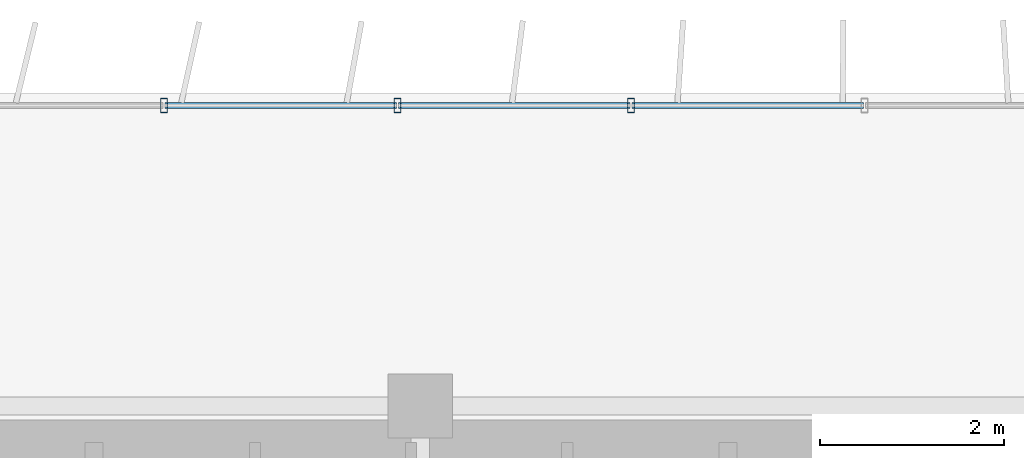
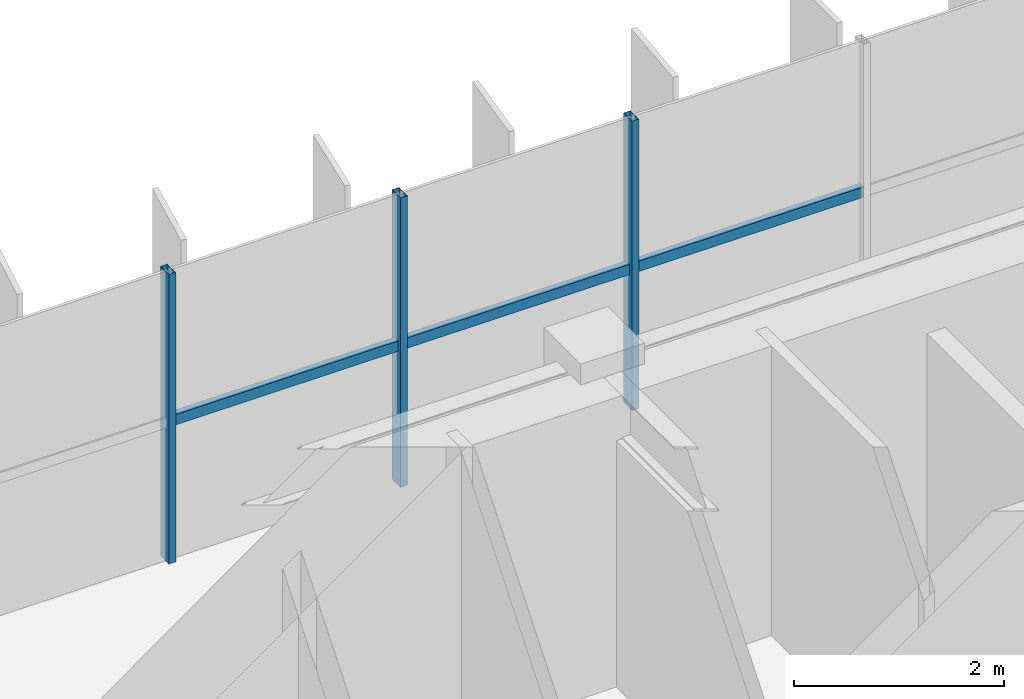
# One storey, part 11 of 23: 6 members, 1 element without a shape of its own.
"""IFC4 building model written with IfcOpenShell, lengths in metres."""

import ifcopenshell
import ifcopenshell.guid

model = None  # the IFC model being written
_history = None  # IfcOwnerHistory: only IFC2X3 demands one
_inside = {}  # id of a spatial element -> (the spatial element, [elements in it])
_under = {}  # id of a project, library or spatial element -> (it, [spatial elements below it])
_declared = {}  # id of a project -> (the project, [libraries it declares])
_typed = {}  # id of a type object -> (the type object, [elements of that type])
_made_of = {}  # id of a material, layer set ... -> (it, [elements and type objects made of it])


def new_model(schema):
    """Start an empty IFC model of exactly this schema.

    Asked for "IFC4X3", IfcOpenShell would pick the latest addendum, in which some entities
    have other attributes; the version numbers below select the first issue.
    IFC2X3 requires an IfcOwnerHistory on every rooted entity: one is made here for all.
    """
    global model, _history
    if schema == "IFC4X3":
        model = ifcopenshell.file(schema_version=(4, 3, 0, 0))
    else:
        model = ifcopenshell.file(schema=schema)
    _inside.clear()
    _under.clear()
    _declared.clear()
    _typed.clear()
    _made_of.clear()
    _history = None
    if model.schema == "IFC2X3":
        org = make("IfcOrganization", Name="unknown")
        user = make(
            "IfcPersonAndOrganization",
            ThePerson=make("IfcPerson", FamilyName="unknown"),
            TheOrganization=org,
        )
        app = make(
            "IfcApplication",
            ApplicationDeveloper=org,
            Version="unknown",
            ApplicationFullName="unknown",
            ApplicationIdentifier="unknown",
        )
        _history = make(
            "IfcOwnerHistory",
            OwningUser=user,
            OwningApplication=app,
            ChangeAction="ADDED",
            CreationDate=0,
        )
    return model


def make(cls, **values):
    """One entity of the class cls with the attributes given. An attribute that is None is left unset."""
    return model.create_entity(
        cls, **{name: value for name, value in values.items() if value is not None}
    )


def rooted(cls, **values):
    """An entity with a GlobalId (a new one), such as an element, a storey or a relation."""
    return make(cls, GlobalId=ifcopenshell.guid.new(), OwnerHistory=_history, **values)


def si_unit(unit_type, name, prefix=None):
    """IfcSIUnit, for example si_unit("LENGTHUNIT", "METRE", prefix="MILLI")."""
    return make("IfcSIUnit", UnitType=unit_type, Prefix=prefix, Name=name)


def assignment(units):
    """IfcUnitAssignment: the units of a project."""
    return None if units is None else make("IfcUnitAssignment", Units=units)


def point(xyz):
    """IfcCartesianPoint."""
    return None if xyz is None else make("IfcCartesianPoint", Coordinates=xyz)


def direction(xyz):
    """IfcDirection."""
    return None if xyz is None else make("IfcDirection", DirectionRatios=xyz)


def frame(location, z_axis=None, x_axis=None):
    """IfcAxis2Placement3D, a coordinate frame: its origin and axes. An axis left out is left unset."""
    return make(
        "IfcAxis2Placement3D",
        Location=point(location),
        Axis=direction(z_axis),
        RefDirection=direction(x_axis),
    )


def frame_2d(location, x_axis=None):
    """IfcAxis2Placement2D, a coordinate frame in the plane: its origin and x axis."""
    return make(
        "IfcAxis2Placement2D", Location=point(location), RefDirection=direction(x_axis)
    )


def origin():
    """The frame at (0, 0, 0) with its axes left unset."""
    return frame((0.0, 0.0, 0.0))


def origin_2d():
    """The frame at (0, 0) in the plane with its x axis left unset."""
    return frame_2d((0.0, 0.0))


def place(relative_to, where):
    """IfcLocalPlacement: puts the frame where relative to a parent placement (None: the world)."""
    return make(
        "IfcLocalPlacement", PlacementRelTo=relative_to, RelativePlacement=where
    )


def context(
    kind, dimensions, precision=None, world=None, true_north=None, identifier=None
):
    """IfcGeometricRepresentationContext, for example the 3D "Model" context."""
    return make(
        "IfcGeometricRepresentationContext",
        ContextIdentifier=identifier,
        ContextType=kind,
        CoordinateSpaceDimension=dimensions,
        Precision=precision,
        WorldCoordinateSystem=world,
        TrueNorth=true_north,
    )


def subcontext(parent, identifier, kind, view, scale=None):
    """IfcGeometricRepresentationSubContext, for example "Body" below "Model"."""
    return make(
        "IfcGeometricRepresentationSubContext",
        ContextIdentifier=identifier,
        ContextType=kind,
        ParentContext=parent,
        TargetScale=scale,
        TargetView=view,
    )


def project(units=None, contexts=None):
    """IfcProject with its units and contexts."""
    return rooted(
        "IfcProject",
        Name="project",
        RepresentationContexts=contexts,
        UnitsInContext=assignment(units),
    )


def spatial(cls, under=None, at=None, **own):
    """A site, building, storey or space (cls), placed at a placement, below another one or the project."""
    s = rooted(cls, ObjectPlacement=at, **own)
    if under is not None:
        _under.setdefault(under.id(), (under, []))[1].append(s)
    return s


def profile(cls, at=None, kind="AREA", **sizes):
    """A parametric profile (cls). Its sizes go by their IFC names, for example OverallWidth=200.0."""
    return make(cls, ProfileType=kind, Position=at, **sizes)


def hollow_rectangle(**sizes):
    """IfcRectangleHollowProfileDef."""
    return profile("IfcRectangleHollowProfileDef", **sizes)


def extrude(swept, where, along, depth):
    """IfcExtrudedAreaSolid: the profile swept, set in the frame where, extruded along a direction by depth."""
    return make(
        "IfcExtrudedAreaSolid",
        SweptArea=swept,
        Position=where,
        ExtrudedDirection=direction(along),
        Depth=depth,
    )


def shape(context_of_items, identifier, shape_type, items):
    """IfcShapeRepresentation: the items that make up one representation, for example the "Body"."""
    return make(
        "IfcShapeRepresentation",
        ContextOfItems=context_of_items,
        RepresentationIdentifier=identifier,
        RepresentationType=shape_type,
        Items=items,
    )


def source(mapping_origin, context_of_items, identifier, shape_type, items):
    """IfcRepresentationMap: a shape defined once, which mapped items show again and again."""
    return make(
        "IfcRepresentationMap",
        MappingOrigin=mapping_origin,
        MappedRepresentation=shape(context_of_items, identifier, shape_type, items),
    )


def transform(
    local_origin,
    x_axis=None,
    y_axis=None,
    z_axis=None,
    scale=None,
    scale2=None,
    scale3=None,
    uniform=True,
):
    """IfcCartesianTransformationOperator3D, or its non-uniform kind. x_axis, y_axis, z_axis: its Axis1, 2, 3."""
    if uniform:
        return make(
            "IfcCartesianTransformationOperator3D",
            Axis1=direction(x_axis),
            Axis2=direction(y_axis),
            LocalOrigin=point(local_origin),
            Scale=scale,
            Axis3=direction(z_axis),
        )
    return make(
        "IfcCartesianTransformationOperator3DnonUniform",
        Axis1=direction(x_axis),
        Axis2=direction(y_axis),
        LocalOrigin=point(local_origin),
        Scale=scale,
        Axis3=direction(z_axis),
        Scale2=scale2,
        Scale3=scale3,
    )


def mapped(mapping_source, mapping_target):
    """IfcMappedItem: shows the shape of a source again, moved by a transform."""
    return make(
        "IfcMappedItem", MappingSource=mapping_source, MappingTarget=mapping_target
    )


def material(Name=None, Category=None):
    """IfcMaterial."""
    return make("IfcMaterial", Name=Name, Category=Category)


def material_profile(
    of_material, cross_section, Name=None, Category=None, Priority=None
):
    """IfcMaterialProfile: a cross section and its material."""
    return make(
        "IfcMaterialProfile",
        Name=Name,
        Material=of_material,
        Profile=cross_section,
        Priority=Priority,
        Category=Category,
    )


def profile_set(profiles, Name=None, composite=None):
    """IfcMaterialProfileSet."""
    return make(
        "IfcMaterialProfileSet",
        Name=Name,
        MaterialProfiles=profiles,
        CompositeProfile=composite,
    )


def made_of(thing, what):
    """Note that an element or type object is made of a material, layer set ...; save() writes the relation."""
    if what is not None:
        _made_of.setdefault(what.id(), (what, []))[1].append(thing)
    return thing


def type_object(cls, material=None, **own):
    """A type object (cls), such as IfcWallType, which elements share."""
    return made_of(rooted(cls, **own), material)


def element(
    cls,
    number,
    at=None,
    inside=None,
    cuts=None,
    type_object=None,
    material=None,
    context=None,
    identifier="Body",
    shape_type=None,
    held_by="IfcProductDefinitionShape",
    body=None,
    shapes=None,
    **own,
):
    """One element of the class cls, such as IfcWall. Its Tag is "e" and its number.

    at: its placement. inside: the storey or other place that contains it. cuts: it is an
    opening in that element (IfcRelVoidsElement). A single representation is given by context,
    identifier, shape_type and body (its items); several are given by shapes. held_by: the class
    of the entity that holds the representations. save() writes the other relations.
    """
    e = rooted(cls, Tag="e%d" % number, ObjectPlacement=at, **own)
    if body is not None:
        shapes = [shape(context, identifier, shape_type, body)]
    if shapes is not None:
        e.Representation = make(held_by, Representations=shapes)
    if inside is not None:
        _inside.setdefault(inside.id(), (inside, []))[1].append(e)
    if cuts is not None:
        rooted(
            "IfcRelVoidsElement", RelatingBuildingElement=cuts, RelatedOpeningElement=e
        )
    if type_object is not None:
        _typed.setdefault(type_object.id(), (type_object, []))[1].append(e)
    return made_of(e, material)


def aggregate(whole, parts):
    """IfcRelAggregates: a whole, such as a stair, and the parts it consists of."""
    return rooted("IfcRelAggregates", RelatingObject=whole, RelatedObjects=parts)


def save(model, path):
    """Write the relations noted so far, then the file.

    IfcRelAggregates (storeys below a building ...), IfcRelContainedInSpatialStructure (elements
    in a storey), IfcRelDefinesByType, IfcRelAssociatesMaterial and IfcRelDeclares: one each for
    every whole, place, type object, material and project.
    """
    for whole, parts in _under.values():
        aggregate(whole, parts)
    for where, things in _inside.values():
        rooted(
            "IfcRelContainedInSpatialStructure",
            RelatedElements=things,
            RelatingStructure=where,
        )
    for kind, things in _typed.values():
        rooted("IfcRelDefinesByType", RelatedObjects=things, RelatingType=kind)
    for what, things in _made_of.values():
        rooted("IfcRelAssociatesMaterial", RelatedObjects=things, RelatingMaterial=what)
    for by, libraries in _declared.values():
        rooted("IfcRelDeclares", RelatingContext=by, RelatedDefinitions=libraries)
    model.write(path)


model = new_model("IFC4")

# Units and contexts
model_context = context("Model", 3, precision=1e-05, world=origin(), true_north=direction((0.0, 1.0)))
body_context = subcontext(model_context, "Body", "Model", "MODEL_VIEW")
ifc_project = project(units=[si_unit("LENGTHUNIT", "METRE"), si_unit("AREAUNIT", "SQUARE_METRE"), si_unit("VOLUMEUNIT", "CUBIC_METRE"), si_unit("PLANEANGLEUNIT", "RADIAN"), si_unit("MASSUNIT", "GRAM", prefix="KILO")], contexts=[model_context])

# Site, building, storey
site_placement = place(None, origin())
site = spatial("IfcSite", under=ifc_project, at=site_placement, CompositionType="ELEMENT")
building_placement = place(site_placement, origin())
building = spatial("IfcBuilding", under=site, at=building_placement, Name="Trelvane Seafront Commons", CompositionType="ELEMENT")
storey_placement = place(building_placement, frame((0.0, 0.0, 208.5)))
storey = spatial("IfcBuildingStorey", under=building, at=storey_placement, Name="L54", CompositionType="ELEMENT", Elevation=208.5)

# Curtain wall, members
ifc_material = material(Name="Anodised pale-silver aluminium", Category="aluminium")
curtain_wall_type = type_object("IfcCurtainWallType", Name="ARCH-CW5-UPTOWER", PredefinedType="NOTDEFINED", material=ifc_material)
curtain_wall_placement = place(storey_placement, origin())
curtain_wall = element("IfcCurtainWall", 1, at=curtain_wall_placement, inside=storey, type_object=curtain_wall_type, Name="CW-L54-0097", PredefinedType="NOTDEFINED")
ifc_material_profile_1 = material_profile(ifc_material, hollow_rectangle(XDim=0.070068359375, YDim=0.1201171875, WallThickness=0.00390625, at=origin_2d()), Name="TRAN-70x120x4")
ifc_profile_set_1 = profile_set([ifc_material_profile_1], Name="Anodised pale-silver aluminium")
member_type_1 = type_object("IfcMemberType", Name="ARCH-CW-TRAN-120", PredefinedType="USERDEFINED", material=ifc_profile_set_1)
shared_shape_1 = source(origin(), body_context, "Body", "SweptSolid", [
    extrude(hollow_rectangle(XDim=0.070068359375, YDim=0.1201171875, WallThickness=0.00390625, at=origin_2d()), origin(), (0.0, 0.0, 1.0), 2.51708984375),
])
member_1_placement = place(storey_placement, frame((43.56494140625, 48.3701171875, 1.613037109375), z_axis=(1.0, 0.0, 0.0), x_axis=(0.0, 1.0, 0.0)))
member_1 = element("IfcMember", 2, at=member_1_placement, type_object=member_type_1, Name="CW-L54-0097-T11", ObjectType="TRANSOM", PredefinedType="USERDEFINED", context=body_context, shape_type="MappedRepresentation", body=[
    mapped(shared_shape_1, transform((0.0, 0.0, 0.0), x_axis=(1.0, 0.0, 0.0), y_axis=(0.0, 1.0, 0.0), z_axis=(0.0, 0.0, 1.0), scale=1.0)),
])
member_2_placement = place(storey_placement, frame((46.106201171875, 48.3701171875, 1.613037109375), z_axis=(1.0, 0.0, 0.0), x_axis=(0.0, 1.0, 0.0)))
member_2 = element("IfcMember", 3, at=member_2_placement, type_object=member_type_1, Name="CW-L54-0097-T12", ObjectType="TRANSOM", PredefinedType="USERDEFINED", context=body_context, shape_type="MappedRepresentation", body=[
    mapped(shared_shape_1, transform((0.0, 0.0, 0.0), x_axis=(1.0, 0.0, 0.0), y_axis=(0.0, 1.0, 0.0), z_axis=(0.0, 0.0, 1.0), scale=1.0)),
])
shared_shape_2 = source(origin(), body_context, "Body", "SweptSolid", [
    extrude(hollow_rectangle(XDim=0.070068359375, YDim=0.1201171875, WallThickness=0.00390625, at=origin_2d()), origin(), (0.0, 0.0, 1.0), 2.517333984375),
])
member_3_placement = place(storey_placement, frame((41.023681640625, 48.3701171875, 1.613037109375), z_axis=(1.0, 0.0, 0.0), x_axis=(0.0, 1.0, 0.0)))
member_3 = element("IfcMember", 4, at=member_3_placement, type_object=member_type_1, Name="CW-L54-0097-T10", ObjectType="TRANSOM", PredefinedType="USERDEFINED", context=body_context, shape_type="MappedRepresentation", body=[
    mapped(shared_shape_2, transform((0.0, 0.0, 0.0), x_axis=(1.0, 0.0, 0.0), y_axis=(0.0, 1.0, 0.0), z_axis=(0.0, 0.0, 1.0), scale=1.0)),
])
ifc_material_profile_2 = material_profile(ifc_material, hollow_rectangle(XDim=0.074951171875, YDim=0.159912109375, WallThickness=0.00390625, at=origin_2d()), Name="MULL-75x160x4")
ifc_profile_set_2 = profile_set([ifc_material_profile_2], Name="Anodised pale-silver aluminium")
member_type_2 = type_object("IfcMemberType", Name="ARCH-CW-MULL-160", PredefinedType="MULLION", material=ifc_profile_set_2)
shared_shape_3 = source(origin(), body_context, "Body", "SweptSolid", [
    extrude(hollow_rectangle(XDim=0.074951171875, YDim=0.159912109375, WallThickness=0.00390625, at=origin_2d()), origin(), (0.0, 0.0, 1.0), 3.360107421875),
])
member_4_placement = place(storey_placement, frame((41.01171875, 48.3701171875, 0.0), z_axis=(0.0, 0.0, 1.0), x_axis=(1.0, 0.0, 0.0)))
member_4 = element("IfcMember", 5, at=member_4_placement, type_object=member_type_2, Name="CW-L54-0097-M10", PredefinedType="MULLION", context=body_context, shape_type="MappedRepresentation", body=[
    mapped(shared_shape_3, transform((0.0, 0.0, 0.0), x_axis=(1.0, 0.0, 0.0), y_axis=(0.0, 1.0, 0.0), z_axis=(0.0, 0.0, 1.0), scale=1.0)),
])
member_5_placement = place(storey_placement, frame((43.552978515625, 48.3701171875, 0.0), z_axis=(0.0, 0.0, 1.0), x_axis=(1.0, 0.0, 0.0)))
member_5 = element("IfcMember", 6, at=member_5_placement, type_object=member_type_2, Name="CW-L54-0097-M11", PredefinedType="MULLION", context=body_context, shape_type="MappedRepresentation", body=[
    mapped(shared_shape_3, transform((0.0, 0.0, 0.0), x_axis=(1.0, 0.0, 0.0), y_axis=(0.0, 1.0, 0.0), z_axis=(0.0, 0.0, 1.0), scale=1.0)),
])
member_6_placement = place(storey_placement, frame((46.093994140625, 48.3701171875, 0.0), z_axis=(0.0, 0.0, 1.0), x_axis=(1.0, 0.0, 0.0)))
member_6 = element("IfcMember", 7, at=member_6_placement, type_object=member_type_2, Name="CW-L54-0097-M12", PredefinedType="MULLION", context=body_context, shape_type="MappedRepresentation", body=[
    mapped(shared_shape_3, transform((0.0, 0.0, 0.0), x_axis=(1.0, 0.0, 0.0), y_axis=(0.0, 1.0, 0.0), z_axis=(0.0, 0.0, 1.0), scale=1.0)),
])
aggregate(curtain_wall, [member_4, member_5, member_6, member_3, member_1, member_2])

save(model, "model.ifc")
